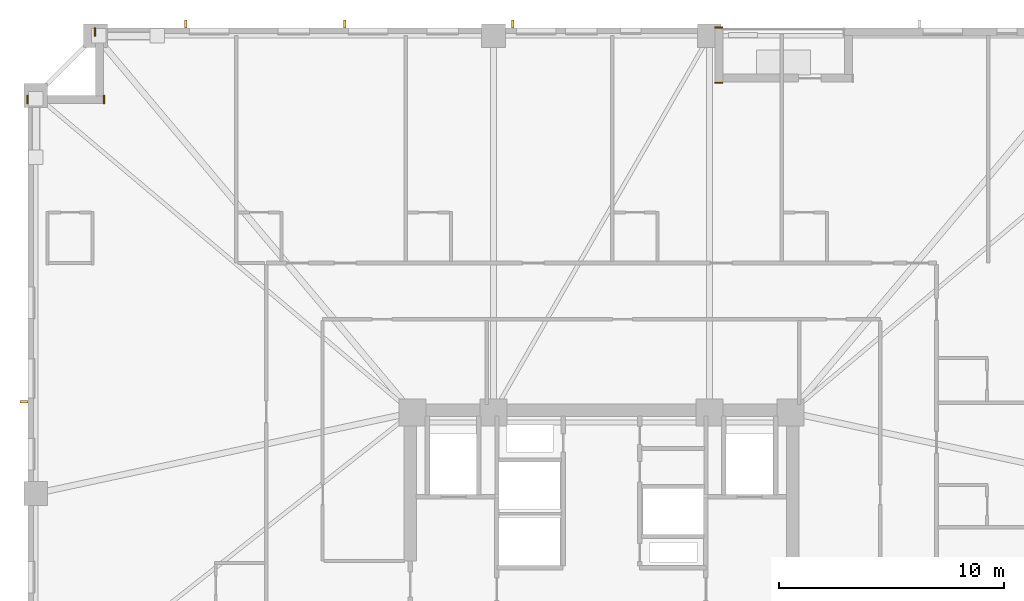
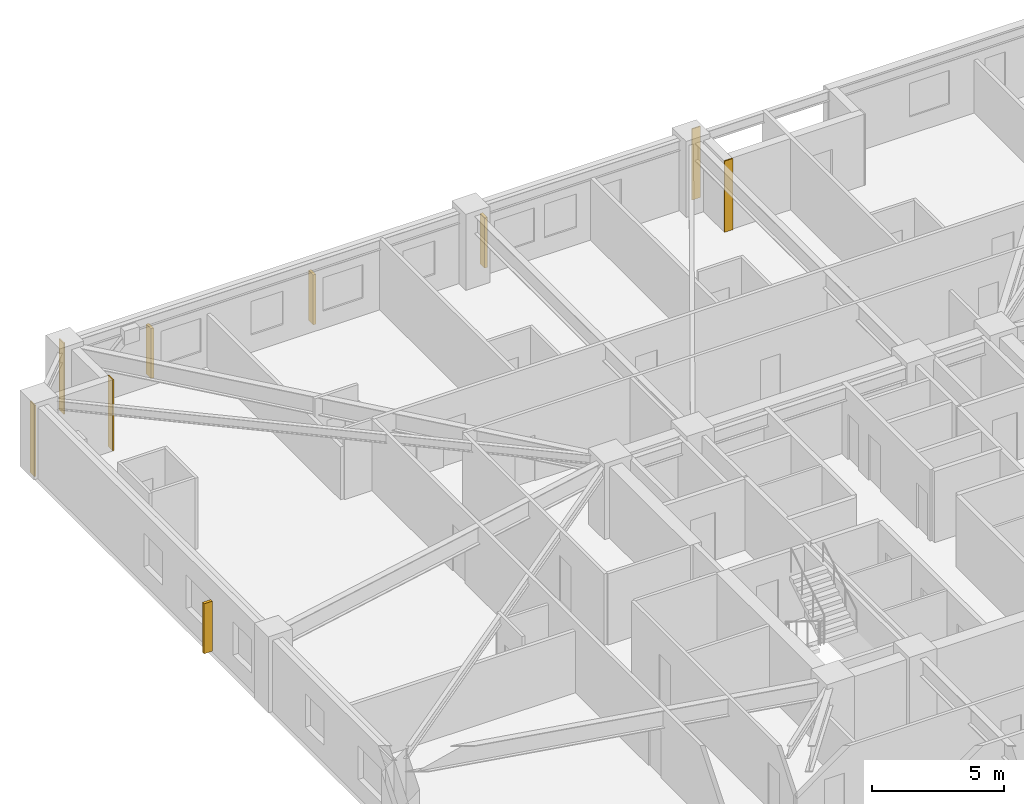
# One storey, part 10 of 11: 5 coverings, 4 shading devices.
"""IFC4 building model written with IfcOpenShell, lengths in metres."""

from ifc_helpers import new_model, si_unit, direction, frame, frame_2d, origin, origin_2d, place, context, subcontext, project, spatial, rectangle, extrude, material, layer, layer_set, type_object, element, save


model = new_model("IFC4")

# Units and contexts
model_context = context("Model", 3, precision=1e-05, world=origin(), true_north=direction((0.0, 1.0)))
body_context = subcontext(model_context, "Body", "Model", "MODEL_VIEW")
ifc_project = project(units=[si_unit("LENGTHUNIT", "METRE"), si_unit("AREAUNIT", "SQUARE_METRE"), si_unit("VOLUMEUNIT", "CUBIC_METRE"), si_unit("PLANEANGLEUNIT", "RADIAN"), si_unit("MASSUNIT", "GRAM", prefix="KILO")], contexts=[model_context])

# Site, building, storey
site_placement = place(None, origin())
site = spatial("IfcSite", under=ifc_project, at=site_placement, CompositionType="ELEMENT")
building_placement = place(site_placement, origin())
building = spatial("IfcBuilding", under=site, at=building_placement, Name="Cairnveth Concourse Tower", CompositionType="ELEMENT")
storey_placement = place(building_placement, frame((0.0, 0.0, 86.5)))
storey = spatial("IfcBuildingStorey", under=building, at=storey_placement, Name="L23", CompositionType="ELEMENT", Elevation=86.5)

# Coverings
ifc_material_1 = material(Name="Dressed Melbourne Bluestone Cladding", Category="masonry")
ifc_layer = layer(ifc_material_1, 0.050048828125)
ifc_layer_set = layer_set([ifc_layer], Name="Dressed Melbourne Bluestone Cladding")
covering_type = type_object("IfcCoveringType", Name="DRESSED BLUESTONE PLINTH CLADDING 50", PredefinedType="CLADDING", material=ifc_layer_set)
for number, where, z_axis, x_axis, name in (
    (1, (26.47998046875, 61.139892578125, 0.0), (0.0, 0.0, 1.0), (0.0, 1.0, 0.0), "Melbourne Bluestone Corner Quoin L23-321"),
    (2, (29.8798828125, 61.139892578125, 0.0), (0.0, 0.0, 1.0), (0.0, 1.0, 0.0), "Melbourne Bluestone Corner Quoin L23-322"),
    (3, (29.47998046875, 64.139892578125, 0.0), (0.0, 0.0, 1.0), (0.0, 1.0, 0.0), "Melbourne Bluestone Corner Quoin L23-323"),
):
    element("IfcCovering", number, at=place(storey_placement, frame(where, z_axis=z_axis, x_axis=x_axis)), inside=storey, type_object=covering_type, Name=name, PredefinedType="CLADDING", context=body_context, shape_type="SweptSolid", body=[
        extrude(rectangle(XDim=0.360107421875, YDim=0.050048828125, at=frame_2d((0.18017578125, 0.0))), origin(), (0.0, 0.0, 1.0), 3.280029296875),
    ])
for number, where, z_axis, x_axis, name in (
    (4, (57.0400390625, 64.52001953125, 0.0), (0.0, 0.0, 1.0), (1.0, 0.0, 0.0), "Melbourne Bluestone Corner Quoin L23-324"),
    (5, (57.0400390625, 62.070068359375, 0.0), (0.0, 0.0, 1.0), (1.0, 0.0, 0.0), "Melbourne Bluestone Corner Quoin L23-325"),
):
    element("IfcCovering", number, at=place(storey_placement, frame(where, z_axis=z_axis, x_axis=x_axis)), inside=storey, type_object=covering_type, Name=name, PredefinedType="CLADDING", context=body_context, shape_type="SweptSolid", body=[
        extrude(rectangle(XDim=0.35986328125, YDim=0.050048828125, at=frame_2d((0.179931640625, 0.0))), origin(), (0.0, 0.0, 1.0), 3.280029296875),
    ])

# Shading devices
ifc_material_2 = material(Name="Architectural Bronze Anodised Aluminium 6063-T6", Category="aluminium")
shading_device_type = type_object("IfcShadingDeviceType", Name="GOTHIC BRONZE VERTICAL LANCET FIN", PredefinedType="USERDEFINED", material=ifc_material_2)
for number, where, z_axis, x_axis, name in (
    (6, (26.324951171875, 47.87646484375, 0.02978515625), (0.0, 0.0, 1.0), (0.0, 1.0, 0.0), "Gothic Bronze Vertical Fin L23-9-9"),
    (7, (33.520263671875, 64.675048828125, 0.02978515625), (0.0, 0.0, 1.0), (1.0, 0.0, 0.0), "Gothic Bronze Vertical Fin L23-12-1"),
    (8, (40.5908203125, 64.675048828125, 0.02978515625), (0.0, 0.0, 1.0), (1.0, 0.0, 0.0), "Gothic Bronze Vertical Fin L23-12-3"),
    (9, (48.0615234375, 64.675048828125, 0.02978515625), (0.0, 0.0, 1.0), (1.0, 0.0, 0.0), "Gothic Bronze Vertical Fin L23-12-5"),
):
    element("IfcShadingDevice", number, at=place(storey_placement, frame(where, z_axis=z_axis, x_axis=x_axis)), inside=storey, type_object=shading_device_type, Name=name, ObjectType="VERTICAL FIN", PredefinedType="USERDEFINED", context=body_context, shape_type="SweptSolid", body=[
        extrude(rectangle(XDim=0.1201171875, YDim=0.360107421875, at=origin_2d()), origin(), (0.0, 0.0, 1.0), 2.303955078125),
    ])

save(model, "model.ifc")
